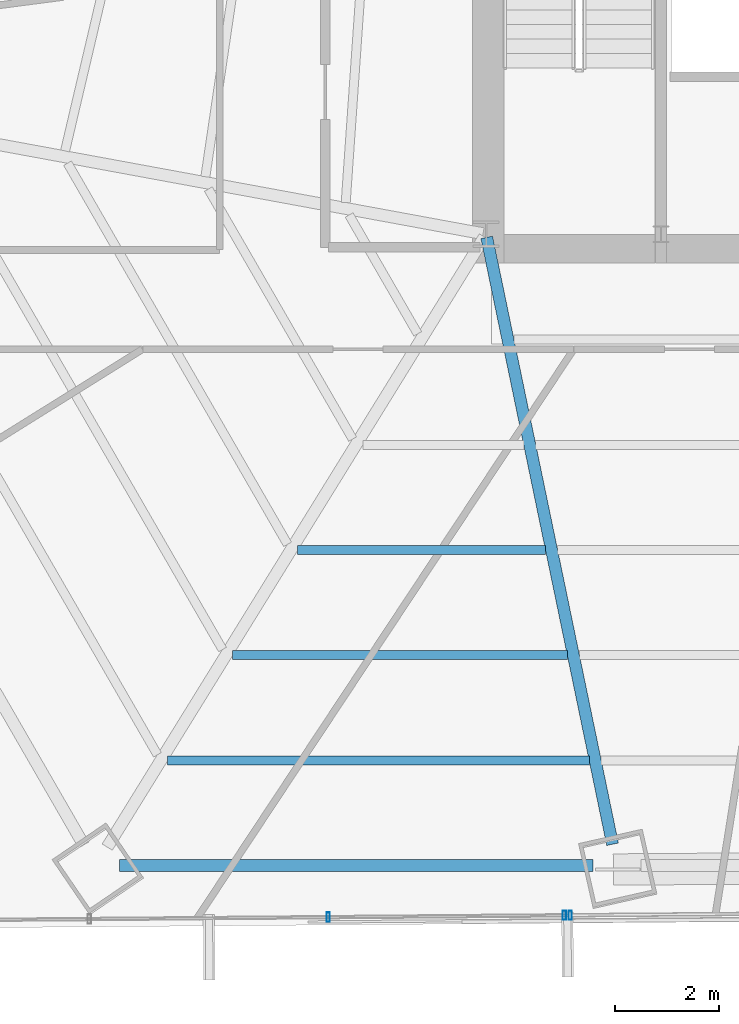
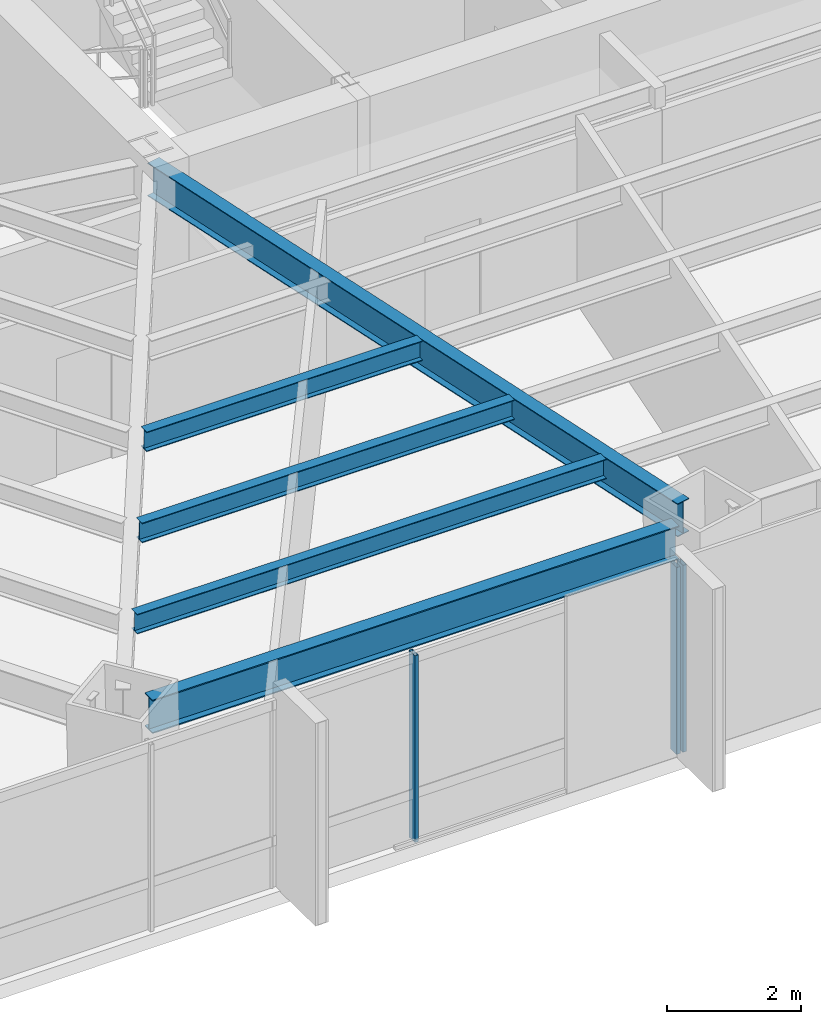
# One storey, part 7 of 34: 5 beams, 3 members, 2 elements without a shape of their own.
"""IFC4 building model written with IfcOpenShell, lengths in metres."""

from ifc_helpers import new_model, si_unit, direction, frame, origin, origin_2d, place, context, subcontext, project, spatial, hollow_rectangle, i_section, extrude, source, transform, mapped, material, material_profile, profile_set, type_object, type_shapes, element, aggregate, save


model = new_model("IFC4")

# Units and contexts
model_context = context("Model", 3, precision=1e-05, world=origin(), true_north=direction((0.0, 1.0)))
body_context = subcontext(model_context, "Body", "Model", "MODEL_VIEW")
ifc_project = project(units=[si_unit("LENGTHUNIT", "METRE"), si_unit("AREAUNIT", "SQUARE_METRE"), si_unit("VOLUMEUNIT", "CUBIC_METRE"), si_unit("PLANEANGLEUNIT", "RADIAN"), si_unit("MASSUNIT", "GRAM", prefix="KILO")], contexts=[model_context])

# Site, building, storey
site_placement = place(None, origin())
site = spatial("IfcSite", under=ifc_project, at=site_placement, CompositionType="ELEMENT")
building_placement = place(site_placement, origin())
building = spatial("IfcBuilding", under=site, at=building_placement, Name="Caelisora Broadcast Tower", CompositionType="ELEMENT")
storey_placement = place(building_placement, frame((0.0, 0.0, 49.5)))
storey = spatial("IfcBuildingStorey", under=building, at=storey_placement, Name="L12", CompositionType="ELEMENT", Elevation=49.5)

# Beams
ifc_material_1 = material(Name="Steel Grade 350 (AS/NZS 3679.1)", Category="steel")
ifc_material_profile_1 = material_profile(ifc_material_1, i_section(OverallWidth=0.172119140625, OverallDepth=0.358642578125, WebThickness=0.008056640625, FlangeThickness=0.012939453125, at=origin_2d()), Name="Steel Grade 350 (AS/NZS 3679.1)")
ifc_profile_set_1 = profile_set([ifc_material_profile_1], Name="Steel Grade 350 (AS/NZS 3679.1)")
beam_type_1 = type_object("IfcBeamType", Name="SB02", PredefinedType="JOIST", material=ifc_profile_set_1)
shared_shape_1 = source(origin(), body_context, "Body", "SweptSolid", [
    extrude(i_section(OverallWidth=0.172119140625, OverallDepth=0.358642578125, WebThickness=0.008056640625, FlangeThickness=0.012939453125, at=origin_2d()), origin(), (0.0, 0.0, 1.0), 4.747802734375),
])
beam_1_placement = place(storey_placement, frame((26.892578125, 11.35302734375, 3.220703125), z_axis=(1.0, 0.0, 0.0), x_axis=(0.0, 1.0, 0.0)))
element("IfcBeam", 1, at=beam_1_placement, inside=storey, type_object=beam_type_1, Name="L12 beam SB02", PredefinedType="JOIST", context=body_context, shape_type="MappedRepresentation", body=[
    mapped(shared_shape_1, transform((0.0, 0.0, 0.0), scale=1.0)),
])
ifc_material_profile_2 = material_profile(ifc_material_1, i_section(OverallWidth=0.22900390625, OverallDepth=0.611572265625, WebThickness=0.011962890625, FlangeThickness=0.01953125, at=origin_2d()), Name="Steel Grade 350 (AS/NZS 3679.1)")
ifc_profile_set_2 = profile_set([ifc_material_profile_2], Name="Steel Grade 350 (AS/NZS 3679.1)")
beam_type_2 = type_object("IfcBeamType", Name="PG03", PredefinedType="BEAM", material=ifc_profile_set_2)
shared_shape_2 = source(origin(), body_context, "Body", "SweptSolid", [
    extrude(i_section(OverallWidth=0.22900390625, OverallDepth=0.611572265625, WebThickness=0.011962890625, FlangeThickness=0.01953125, at=origin_2d()), origin(), (0.0, 0.0, 1.0), 9.064453125),
])
type_shapes(beam_type_2, [shared_shape_2])
beam_2_placement = place(storey_placement, frame((23.4833984375, 5.30615234375, 3.09423828125), z_axis=(1.0, 0.0, 0.0), x_axis=(0.0, 1.0, 0.0)))
element("IfcBeam", 2, at=beam_2_placement, inside=storey, type_object=beam_type_2, Name="L12 beam PG03", PredefinedType="BEAM", context=body_context, shape_type="MappedRepresentation", body=[
    mapped(shared_shape_2, transform((0.0, 0.0, 0.0), scale=1.0)),
])
ifc_material_profile_3 = material_profile(ifc_material_1, i_section(OverallWidth=0.22802734375, OverallDepth=0.602294921875, WebThickness=0.010498046875, FlangeThickness=0.014892578125, at=origin_2d()), Name="Steel Grade 350 (AS/NZS 3679.1)")
ifc_profile_set_3 = profile_set([ifc_material_profile_3], Name="Steel Grade 350 (AS/NZS 3679.1)")
beam_type_3 = type_object("IfcBeamType", Name="PG04", PredefinedType="BEAM", material=ifc_profile_set_3)
shared_shape_3 = source(origin(), body_context, "Body", "SweptSolid", [
    extrude(i_section(OverallWidth=0.22802734375, OverallDepth=0.602294921875, WebThickness=0.010498046875, FlangeThickness=0.014892578125, at=origin_2d()), origin(), (0.0, 0.0, 1.0), 11.871337890625),
])
type_shapes(beam_type_3, [shared_shape_3])
beam_3_placement = place(storey_placement, frame((30.51220703125, 17.34130859375, 3.098876953125), z_axis=(0.203044214995, -0.979169569971, 0.0), x_axis=(0.979169569971, 0.203044214995, 0.0)))
element("IfcBeam", 3, at=beam_3_placement, inside=storey, type_object=beam_type_3, Name="L12 beam PG04", PredefinedType="BEAM", context=body_context, shape_type="MappedRepresentation", body=[
    mapped(shared_shape_3, transform((0.0, 0.0, 0.0), scale=1.0)),
])
shared_shape_4 = source(origin(), body_context, "Body", "SweptSolid", [
    extrude(i_section(OverallWidth=0.172119140625, OverallDepth=0.358642578125, WebThickness=0.008056640625, FlangeThickness=0.012939453125, at=origin_2d()), origin(), (0.0, 0.0, 1.0), 6.411865234375),
])
beam_4_placement = place(storey_placement, frame((25.646728515625, 9.33740234375, 3.220703125), z_axis=(1.0, 0.0, 0.0), x_axis=(0.0, 1.0, 0.0)))
element("IfcBeam", 4, at=beam_4_placement, inside=storey, type_object=beam_type_1, Name="L12 beam SB02", PredefinedType="JOIST", context=body_context, shape_type="MappedRepresentation", body=[
    mapped(shared_shape_4, transform((0.0, 0.0, 0.0), scale=1.0)),
])
shared_shape_5 = source(origin(), body_context, "Body", "SweptSolid", [
    extrude(i_section(OverallWidth=0.172119140625, OverallDepth=0.358642578125, WebThickness=0.008056640625, FlangeThickness=0.012939453125, at=origin_2d()), origin(), (0.0, 0.0, 1.0), 8.07568359375),
])
type_shapes(beam_type_1, [shared_shape_1, shared_shape_4, shared_shape_5])
beam_5_placement = place(storey_placement, frame((24.400634765625, 7.32177734375, 3.220703125), z_axis=(1.0, 0.0, 0.0), x_axis=(0.0, 1.0, 0.0)))
element("IfcBeam", 5, at=beam_5_placement, inside=storey, type_object=beam_type_1, Name="L12 beam SB02", PredefinedType="JOIST", context=body_context, shape_type="MappedRepresentation", body=[
    mapped(shared_shape_5, transform((0.0, 0.0, 0.0), scale=1.0)),
])

# Curtain wall, member
ifc_material_2 = material(Name="Unitised Aluminium Insulated Shadow-Box Spandrel Curtain Wall", Category="aluminium")
curtain_wall_type_1 = type_object("IfcCurtainWallType", Name="CW-SP1", PredefinedType="NOTDEFINED", material=ifc_material_2)
curtain_wall_1_placement = place(storey_placement, origin())
curtain_wall_1 = element("IfcCurtainWall", 6, at=curtain_wall_1_placement, inside=storey, type_object=curtain_wall_type_1, Name="L12 curtain wall CW-SP1", PredefinedType="NOTDEFINED")
ifc_material_3 = material(Name="Aluminium 6063-T6 Anodised Terracotta Bronze", Category="aluminium")
ifc_material_profile_4 = material_profile(ifc_material_3, hollow_rectangle(XDim=0.06494140625, YDim=0.179931640625, WallThickness=0.00341796875, at=origin_2d()), Name="Aluminium 6063-T6 Anodised Terracotta Bronze")
ifc_profile_set_4 = profile_set([ifc_material_profile_4], Name="Aluminium 6063-T6 Anodised Terracotta Bronze")
member_type = type_object("IfcMemberType", Name="CWM-02", PredefinedType="MULLION", material=ifc_profile_set_4)
shared_shape_6 = source(origin(), body_context, "Body", "SweptSolid", [
    extrude(hollow_rectangle(XDim=0.06494140625, YDim=0.179931640625, WallThickness=0.00341796875, at=origin_2d()), origin(), (0.0, 0.0, 1.0), 3.39990234375),
])
type_shapes(member_type, [shared_shape_6])
member_1_placement = place(storey_placement, frame((32.111083984375, 4.357421875, 0.0), z_axis=(0.0, 0.0, 1.0), x_axis=(1.0, 0.0, 0.0)))
member_1 = element("IfcMember", 7, at=member_1_placement, type_object=member_type, Name="L12-CW-B06 mullion #3", PredefinedType="MULLION", context=body_context, shape_type="MappedRepresentation", body=[
    mapped(shared_shape_6, transform((0.0, 0.0, 0.0), scale=1.0)),
])
aggregate(curtain_wall_1, [member_1])

# Curtain wall, members
ifc_material_4 = material(Name="Unitised Aluminium and Low-E Glass Curtain Wall", Category="glass")
curtain_wall_type_2 = type_object("IfcCurtainWallType", Name="CW-Z1", PredefinedType="NOTDEFINED", material=ifc_material_4)
curtain_wall_2_placement = place(storey_placement, origin())
curtain_wall_2 = element("IfcCurtainWall", 8, at=curtain_wall_2_placement, inside=storey, type_object=curtain_wall_type_2, Name="L12 curtain wall CW-Z1", PredefinedType="NOTDEFINED")
member_2_placement = place(storey_placement, frame((32.001220703125, 4.356689453125, 0.0), z_axis=(0.0, 0.0, 1.0), x_axis=(1.0, 0.0, 0.0)))
member_2 = element("IfcMember", 9, at=member_2_placement, type_object=member_type, Name="L12-CW-B07 mullion #0", PredefinedType="MULLION", context=body_context, shape_type="MappedRepresentation", body=[
    mapped(shared_shape_6, transform((0.0, 0.0, 0.0), scale=1.0)),
])
member_3_placement = place(storey_placement, frame((27.476318359375, 4.321044921875, 0.0), z_axis=(0.0, 0.0, 1.0), x_axis=(1.0, 0.0, 0.0)))
member_3 = element("IfcMember", 10, at=member_3_placement, type_object=member_type, Name="L12-CW-B07 mullion #1", PredefinedType="MULLION", context=body_context, shape_type="MappedRepresentation", body=[
    mapped(shared_shape_6, transform((0.0, 0.0, 0.0), scale=1.0)),
])
aggregate(curtain_wall_2, [member_2, member_3])

save(model, "model.ifc")
